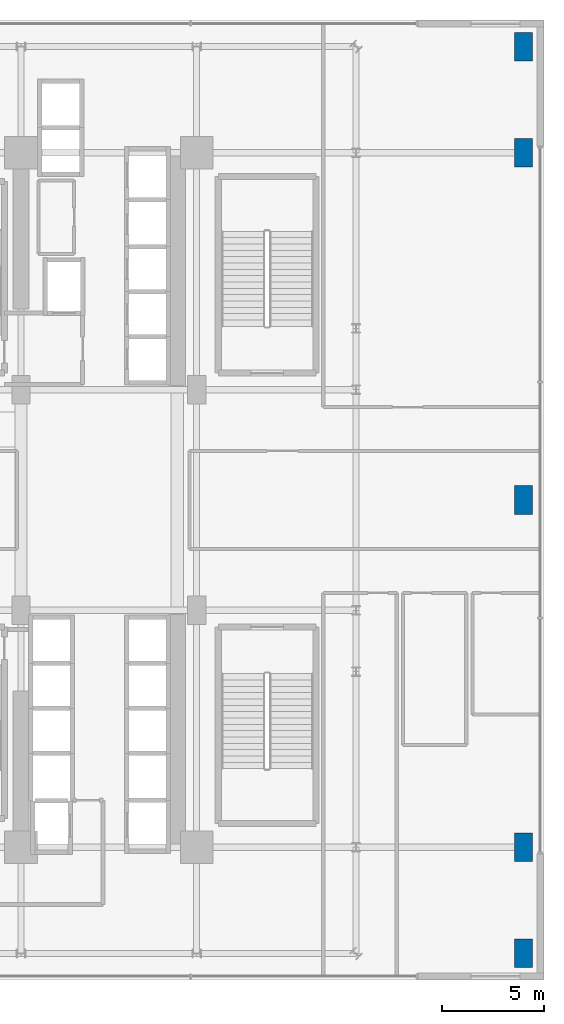
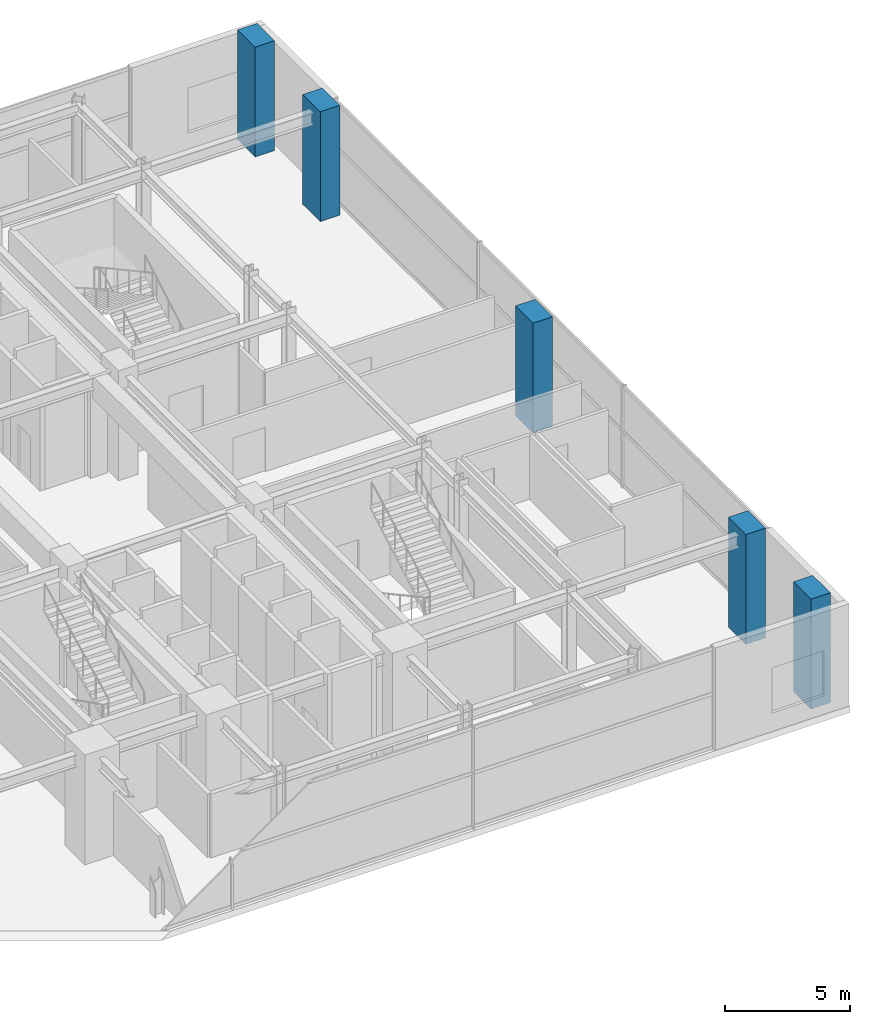
# One storey, part 3 of 35: 5 columns.
"""IFC4 building model written with IfcOpenShell, lengths in metres."""

from ifc_helpers import new_model, si_unit, direction, frame, origin, origin_2d, place, context, subcontext, project, spatial, rectangle, extrude, source, transform, mapped, material, material_profile, profile_set, type_object, element, save


model = new_model("IFC4")

# Units and contexts
model_context = context("Model", 3, precision=1e-05, world=origin(), true_north=direction((0.0, 1.0)))
body_context = subcontext(model_context, "Body", "Model", "MODEL_VIEW")
ifc_project = project(units=[si_unit("LENGTHUNIT", "METRE"), si_unit("AREAUNIT", "SQUARE_METRE"), si_unit("VOLUMEUNIT", "CUBIC_METRE"), si_unit("PLANEANGLEUNIT", "RADIAN"), si_unit("MASSUNIT", "GRAM", prefix="KILO")], contexts=[model_context])

# Site, building, storey
site_placement = place(None, origin())
site = spatial("IfcSite", under=ifc_project, at=site_placement, CompositionType="ELEMENT")
building_placement = place(site_placement, origin())
building = spatial("IfcBuilding", under=site, at=building_placement, Name="Nahalor Promenade Grand Hotel", CompositionType="ELEMENT")
storey_placement = place(building_placement, frame((0.0, 0.0, 21.60009765625)))
storey = spatial("IfcBuildingStorey", under=building, at=storey_placement, Name="L04", CompositionType="ELEMENT", Elevation=21.60009765625)

# Columns
ifc_material = material(Name="Concrete B-60 (C50/60)", Category="concrete")
ifc_material_profile = material_profile(ifc_material, rectangle(XDim=0.9, YDim=1.4, at=origin_2d()), Name="RC 900x1400")
ifc_profile_set = profile_set([ifc_material_profile], Name="Concrete B-60 (C50/60)")
column_type = type_object("IfcColumnType", Name="Col-Pilaster-1400", PredefinedType="PILASTER", material=ifc_profile_set)
shared_shape = source(origin(), body_context, "Body", "SweptSolid", [
    extrude(rectangle(XDim=0.9, YDim=1.4, at=origin_2d()), origin(), (0.0, 0.0, 1.0), 5.35498046875),
])
for number, where, z_axis, x_axis, name in (
    (1, (33.0, -22.199951171875, 0.0), (0.0, 0.0, 1.0), (1.0, 0.0, 0.0), "COL-L04-PC-E0"),
    (2, (33.0, -17.0, 0.0), (0.0, 0.0, 1.0), (1.0, 0.0, 0.0), "COL-L04-PC-E1"),
    (3, (33.0, 0.0, 0.0), (0.0, 0.0, 1.0), (1.0, 0.0, 0.0), "COL-L04-PC-E2"),
    (4, (33.0, 17.0, 0.0), (0.0, 0.0, 1.0), (1.0, 0.0, 0.0), "COL-L04-PC-E3"),
    (5, (33.0, 22.199951171875, 0.0), (0.0, 0.0, 1.0), (1.0, 0.0, 0.0), "COL-L04-PC-E4"),
):
    element("IfcColumn", number, at=place(storey_placement, frame(where, z_axis=z_axis, x_axis=x_axis)), inside=storey, type_object=column_type, Name=name, PredefinedType="PILASTER", context=body_context, shape_type="MappedRepresentation", body=[
        mapped(shared_shape, transform((0.0, 0.0, 0.0), scale=1.0)),
    ])

save(model, "model.ifc")
